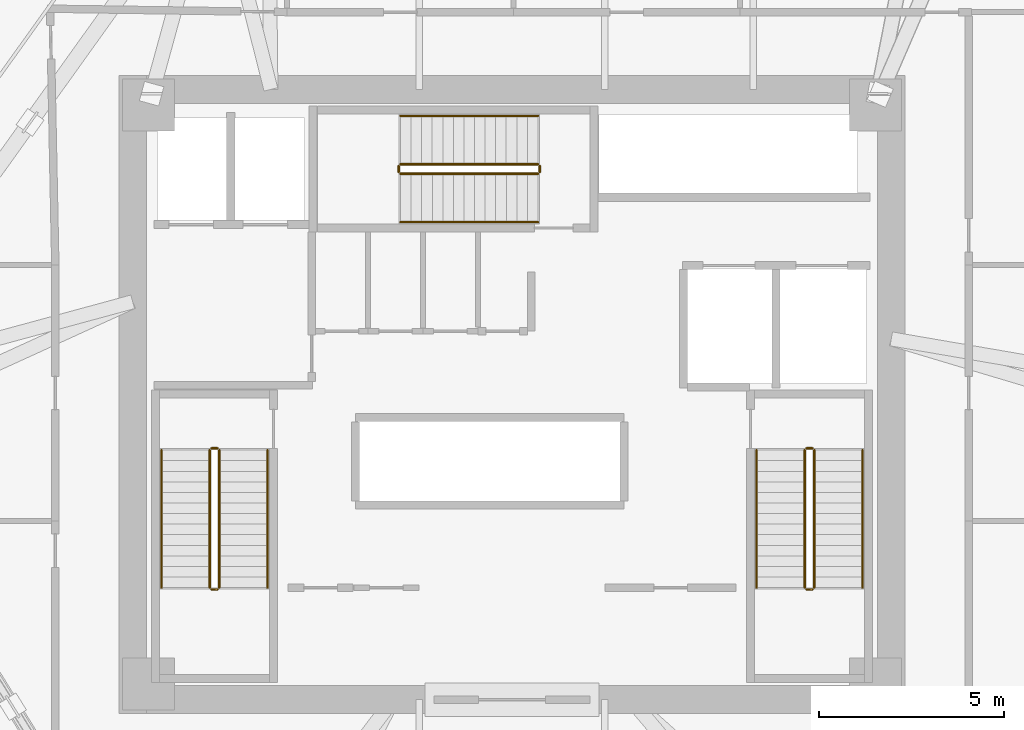
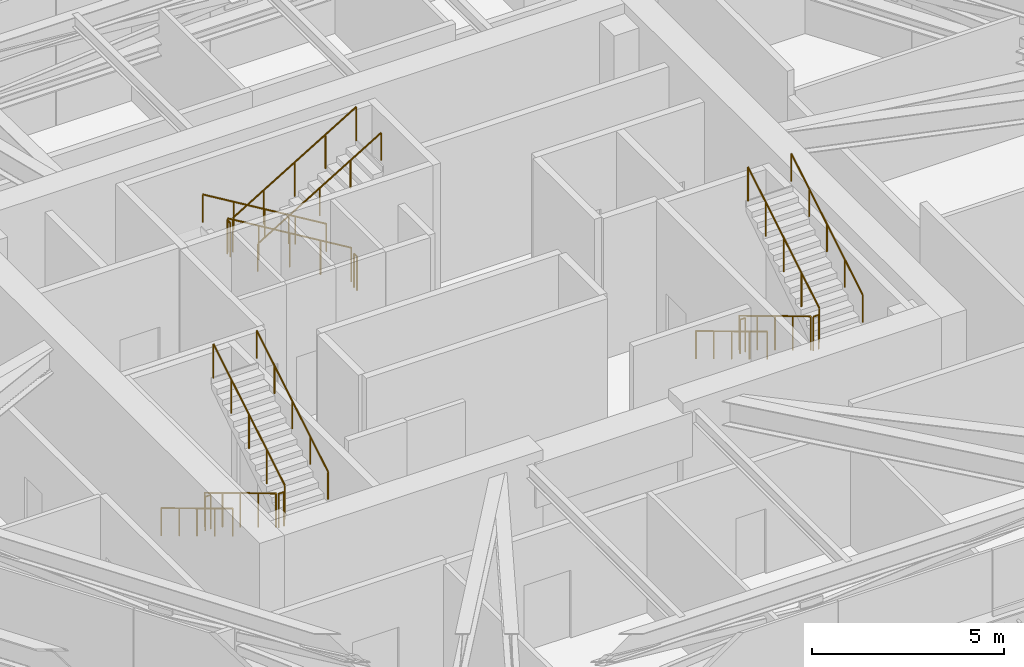
# One storey, part 11 of 11: 18 railings.
"""IFC4 building model written with IfcOpenShell, lengths in metres."""

from ifc_helpers import new_model, si_unit, direction, frame, origin, origin_2d, place, context, subcontext, project, spatial, circle, extrude, material, type_object, element, save


model = new_model("IFC4")

# Units and contexts
model_context = context("Model", 3, precision=1e-05, world=origin(), true_north=direction((0.0, 1.0)))
body_context = subcontext(model_context, "Body", "Model", "MODEL_VIEW")
ifc_project = project(units=[si_unit("LENGTHUNIT", "METRE"), si_unit("AREAUNIT", "SQUARE_METRE"), si_unit("VOLUMEUNIT", "CUBIC_METRE"), si_unit("PLANEANGLEUNIT", "RADIAN"), si_unit("MASSUNIT", "GRAM", prefix="KILO")], contexts=[model_context])

# Site, building, storey
site_placement = place(None, origin())
site = spatial("IfcSite", under=ifc_project, at=site_placement, CompositionType="ELEMENT")
building_placement = place(site_placement, origin())
building = spatial("IfcBuilding", under=site, at=building_placement, Name="Durnholm Broadcast Tower", CompositionType="ELEMENT")
storey_placement = place(building_placement, frame((0.0, 0.0, 150.300048828125)))
storey = spatial("IfcBuildingStorey", under=building, at=storey_placement, Name="L41", CompositionType="ELEMENT", Elevation=150.300048828125)

# Railings
ifc_material_1 = material(Name="Painted Tubular Steel Stair Guardrail", Category="steel")
railing_type_1 = type_object("IfcRailingType", Name="RAIL-ST-GRD", PredefinedType="GUARDRAIL", material=ifc_material_1)
railing_1_placement = place(storey_placement, frame((-8.14990234375, -1.5, 0.17138671875)))
element("IfcRailing", 1, at=railing_1_placement, inside=storey, type_object=railing_type_1, Name="L41 ST-1 stair guard 1", PredefinedType="GUARDRAIL", context=body_context, shape_type="SweptSolid", body=[
    extrude(circle(Radius=0.02392578125, at=origin_2d()), frame((0.0, 0.0, 1.076171875), z_axis=(0.0, -0.856934400257, 0.515425487977), x_axis=(1.0, 0.0, 0.0)), (0.0, 0.0, 1.0), 4.32373046875),
    extrude(circle(Radius=0.02099609375, at=origin_2d()), origin(), (0.0, 0.0, 1.0), 1.052001953125),
    extrude(circle(Radius=0.02099609375, at=origin_2d()), frame((0.0, -0.92626953125, 0.55712890625)), (0.0, 0.0, 1.0), 1.052001953125),
    extrude(circle(Radius=0.02099609375, at=origin_2d()), frame((0.0, -1.8525390625, 1.1142578125)), (0.0, 0.0, 1.0), 1.052001953125),
    extrude(circle(Radius=0.02099609375, at=origin_2d()), frame((0.0, -2.77880859375, 1.67138671875)), (0.0, 0.0, 1.0), 1.052001953125),
    extrude(circle(Radius=0.02099609375, at=origin_2d()), frame((0.0, -3.705078125, 2.228515625)), (0.0, 0.0, 1.0), 1.052001953125),
])
railing_2_placement = place(storey_placement, frame((-8.10009765625, -5.2548828125, 2.39990234375)))
element("IfcRailing", 2, at=railing_2_placement, inside=storey, type_object=railing_type_1, Name="L41 ST-1 stair guard 2", PredefinedType="GUARDRAIL", context=body_context, shape_type="SweptSolid", body=[
    extrude(circle(Radius=0.02392578125, at=origin_2d()), frame((0.0, 0.0, 1.076171875), z_axis=(1.0, 0.0, 0.0), x_axis=(0.0, 1.0, 0.0)), (0.0, 0.0, 1.0), 0.16015625),
    extrude(circle(Radius=0.02099609375, at=origin_2d()), origin(), (0.0, 0.0, 1.0), 1.052001953125),
    extrude(circle(Radius=0.02099609375, at=origin_2d()), frame((0.16015625, 0.0, 0.0)), (0.0, 0.0, 1.0), 1.052001953125),
])
railing_3_placement = place(storey_placement, frame((-7.889892578125, -5.205078125, 2.5712890625)))
element("IfcRailing", 3, at=railing_3_placement, inside=storey, type_object=railing_type_1, Name="L41 ST-1 stair guard 3", PredefinedType="GUARDRAIL", context=body_context, shape_type="SweptSolid", body=[
    extrude(circle(Radius=0.02392578125, at=origin_2d()), frame((0.0, 0.0, 1.076171875), z_axis=(0.0, 0.856909459561, 0.515466951525), x_axis=(-1.0, 0.0, 0.0)), (0.0, 0.0, 1.0), 4.32373046875),
    extrude(circle(Radius=0.02099609375, at=origin_2d()), origin(), (0.0, 0.0, 1.0), 1.052001953125),
    extrude(circle(Radius=0.02099609375, at=origin_2d()), frame((0.0, 0.92626953125, 0.55712890625)), (0.0, 0.0, 1.0), 1.052001953125),
    extrude(circle(Radius=0.02099609375, at=origin_2d()), frame((0.0, 1.8525390625, 1.1142578125)), (0.0, 0.0, 1.0), 1.052001953125),
    extrude(circle(Radius=0.02099609375, at=origin_2d()), frame((0.0, 2.77880859375, 1.671630859375)), (0.0, 0.0, 1.0), 1.052001953125),
    extrude(circle(Radius=0.02099609375, at=origin_2d()), frame((0.0, 3.705078125, 2.228759765625)), (0.0, 0.0, 1.0), 1.052001953125),
])
railing_4_placement = place(storey_placement, frame((-8.10009765625, -1.449951171875, 0.0)))
element("IfcRailing", 4, at=railing_4_placement, inside=storey, type_object=railing_type_1, Name="L41 ST-1 stair guard 4", PredefinedType="GUARDRAIL", context=body_context, shape_type="SweptSolid", body=[
    extrude(circle(Radius=0.02392578125, at=origin_2d()), frame((0.0, 0.0, 1.076171875), z_axis=(1.0, 0.0, 0.0), x_axis=(0.0, 1.0, 0.0)), (0.0, 0.0, 1.0), 0.16015625),
    extrude(circle(Radius=0.02099609375, at=origin_2d()), origin(), (0.0, 0.0, 1.0), 1.052001953125),
    extrude(circle(Radius=0.02099609375, at=origin_2d()), frame((0.16015625, 0.0, 0.0)), (0.0, 0.0, 1.0), 1.052001953125),
])
railing_5_placement = place(storey_placement, frame((7.889892578125, -1.5, 0.17138671875)))
element("IfcRailing", 5, at=railing_5_placement, inside=storey, type_object=railing_type_1, Name="L41 ST-2 stair guard 1", PredefinedType="GUARDRAIL", context=body_context, shape_type="SweptSolid", body=[
    extrude(circle(Radius=0.02392578125, at=origin_2d()), frame((0.0, 0.0, 1.076171875), z_axis=(0.0, -0.856934400257, 0.515425487977), x_axis=(1.0, 0.0, 0.0)), (0.0, 0.0, 1.0), 4.32373046875),
    extrude(circle(Radius=0.02099609375, at=origin_2d()), origin(), (0.0, 0.0, 1.0), 1.052001953125),
    extrude(circle(Radius=0.02099609375, at=origin_2d()), frame((0.0, -0.92626953125, 0.55712890625)), (0.0, 0.0, 1.0), 1.052001953125),
    extrude(circle(Radius=0.02099609375, at=origin_2d()), frame((0.0, -1.8525390625, 1.1142578125)), (0.0, 0.0, 1.0), 1.052001953125),
    extrude(circle(Radius=0.02099609375, at=origin_2d()), frame((0.0, -2.77880859375, 1.67138671875)), (0.0, 0.0, 1.0), 1.052001953125),
    extrude(circle(Radius=0.02099609375, at=origin_2d()), frame((0.0, -3.705078125, 2.228515625)), (0.0, 0.0, 1.0), 1.052001953125),
])
railing_6_placement = place(storey_placement, frame((7.93994140625, -5.2548828125, 2.39990234375)))
element("IfcRailing", 6, at=railing_6_placement, inside=storey, type_object=railing_type_1, Name="L41 ST-2 stair guard 2", PredefinedType="GUARDRAIL", context=body_context, shape_type="SweptSolid", body=[
    extrude(circle(Radius=0.02392578125, at=origin_2d()), frame((0.0, 0.0, 1.076171875), z_axis=(1.0, 0.0, 0.0), x_axis=(0.0, 1.0, 0.0)), (0.0, 0.0, 1.0), 0.16015625),
    extrude(circle(Radius=0.02099609375, at=origin_2d()), origin(), (0.0, 0.0, 1.0), 1.052001953125),
    extrude(circle(Radius=0.02099609375, at=origin_2d()), frame((0.16015625, 0.0, 0.0)), (0.0, 0.0, 1.0), 1.052001953125),
])
railing_7_placement = place(storey_placement, frame((8.14990234375, -5.205078125, 2.5712890625)))
element("IfcRailing", 7, at=railing_7_placement, inside=storey, type_object=railing_type_1, Name="L41 ST-2 stair guard 3", PredefinedType="GUARDRAIL", context=body_context, shape_type="SweptSolid", body=[
    extrude(circle(Radius=0.02392578125, at=origin_2d()), frame((0.0, 0.0, 1.076171875), z_axis=(0.0, 0.856909459561, 0.515466951525), x_axis=(-1.0, 0.0, 0.0)), (0.0, 0.0, 1.0), 4.32373046875),
    extrude(circle(Radius=0.02099609375, at=origin_2d()), origin(), (0.0, 0.0, 1.0), 1.052001953125),
    extrude(circle(Radius=0.02099609375, at=origin_2d()), frame((0.0, 0.92626953125, 0.55712890625)), (0.0, 0.0, 1.0), 1.052001953125),
    extrude(circle(Radius=0.02099609375, at=origin_2d()), frame((0.0, 1.8525390625, 1.1142578125)), (0.0, 0.0, 1.0), 1.052001953125),
    extrude(circle(Radius=0.02099609375, at=origin_2d()), frame((0.0, 2.77880859375, 1.671630859375)), (0.0, 0.0, 1.0), 1.052001953125),
    extrude(circle(Radius=0.02099609375, at=origin_2d()), frame((0.0, 3.705078125, 2.228759765625)), (0.0, 0.0, 1.0), 1.052001953125),
])
railing_8_placement = place(storey_placement, frame((7.93994140625, -1.449951171875, 0.0)))
element("IfcRailing", 8, at=railing_8_placement, inside=storey, type_object=railing_type_1, Name="L41 ST-2 stair guard 4", PredefinedType="GUARDRAIL", context=body_context, shape_type="SweptSolid", body=[
    extrude(circle(Radius=0.02392578125, at=origin_2d()), frame((0.0, 0.0, 1.076171875), z_axis=(1.0, 0.0, 0.0), x_axis=(0.0, 1.0, 0.0)), (0.0, 0.0, 1.0), 0.16015625),
    extrude(circle(Radius=0.02099609375, at=origin_2d()), origin(), (0.0, 0.0, 1.0), 1.052001953125),
    extrude(circle(Radius=0.02099609375, at=origin_2d()), frame((0.16015625, 0.0, 0.0)), (0.0, 0.0, 1.0), 1.052001953125),
])
railing_9_placement = place(storey_placement, frame((0.699951171875, 6.2099609375, 0.17138671875)))
element("IfcRailing", 9, at=railing_9_placement, inside=storey, type_object=railing_type_1, Name="L41 ST-3 stair guard 1", PredefinedType="GUARDRAIL", context=body_context, shape_type="SweptSolid", body=[
    extrude(circle(Radius=0.02392578125, at=origin_2d()), frame((0.0, 0.0, 1.076171875), z_axis=(-0.856919398105, 0.0, 0.515450429384), x_axis=(0.0, -1.0, 0.0)), (0.0, 0.0, 1.0), 4.323486328125),
    extrude(circle(Radius=0.02099609375, at=origin_2d()), origin(), (0.0, 0.0, 1.0), 1.052001953125),
    extrude(circle(Radius=0.02099609375, at=origin_2d()), frame((-0.92626953125, 0.0, 0.55712890625)), (0.0, 0.0, 1.0), 1.052001953125),
    extrude(circle(Radius=0.02099609375, at=origin_2d()), frame((-1.8525390625, 0.0, 1.1142578125)), (0.0, 0.0, 1.0), 1.052001953125),
    extrude(circle(Radius=0.02099609375, at=origin_2d()), frame((-2.778564453125, 0.0, 1.67138671875)), (0.0, 0.0, 1.0), 1.052001953125),
    extrude(circle(Radius=0.02099609375, at=origin_2d()), frame((-3.704833984375, 0.0, 2.228515625)), (0.0, 0.0, 1.0), 1.052001953125),
])
railing_10_placement = place(storey_placement, frame((-3.054931640625, 6.159912109375, 2.39990234375)))
element("IfcRailing", 10, at=railing_10_placement, inside=storey, type_object=railing_type_1, Name="L41 ST-3 stair guard 2", PredefinedType="GUARDRAIL", context=body_context, shape_type="SweptSolid", body=[
    extrude(circle(Radius=0.02392578125, at=origin_2d()), frame((0.0, 0.0, 1.076171875), z_axis=(0.0, -1.0, 0.0), x_axis=(1.0, 0.0, 0.0)), (0.0, 0.0, 1.0), 0.159912109375),
    extrude(circle(Radius=0.02099609375, at=origin_2d()), origin(), (0.0, 0.0, 1.0), 1.052001953125),
    extrude(circle(Radius=0.02099609375, at=origin_2d()), frame((0.0, -0.159912109375, 0.0)), (0.0, 0.0, 1.0), 1.052001953125),
])
railing_11_placement = place(storey_placement, frame((-3.0048828125, 5.949951171875, 2.5712890625)))
element("IfcRailing", 11, at=railing_11_placement, inside=storey, type_object=railing_type_1, Name="L41 ST-3 stair guard 3", PredefinedType="GUARDRAIL", context=body_context, shape_type="SweptSolid", body=[
    extrude(circle(Radius=0.02392578125, at=origin_2d()), frame((0.0, 0.0, 1.076171875), z_axis=(0.856894455432, 0.0, 0.515491893485), x_axis=(0.0, 1.0, 0.0)), (0.0, 0.0, 1.0), 4.323486328125),
    extrude(circle(Radius=0.02099609375, at=origin_2d()), origin(), (0.0, 0.0, 1.0), 1.052001953125),
    extrude(circle(Radius=0.02099609375, at=origin_2d()), frame((0.92626953125, 0.0, 0.55712890625)), (0.0, 0.0, 1.0), 1.052001953125),
    extrude(circle(Radius=0.02099609375, at=origin_2d()), frame((1.8525390625, 0.0, 1.1142578125)), (0.0, 0.0, 1.0), 1.052001953125),
    extrude(circle(Radius=0.02099609375, at=origin_2d()), frame((2.778564453125, 0.0, 1.671630859375)), (0.0, 0.0, 1.0), 1.052001953125),
    extrude(circle(Radius=0.02099609375, at=origin_2d()), frame((3.704833984375, 0.0, 2.228759765625)), (0.0, 0.0, 1.0), 1.052001953125),
])
railing_12_placement = place(storey_placement, frame((0.75, 6.159912109375, 0.0)))
element("IfcRailing", 12, at=railing_12_placement, inside=storey, type_object=railing_type_1, Name="L41 ST-3 stair guard 4", PredefinedType="GUARDRAIL", context=body_context, shape_type="SweptSolid", body=[
    extrude(circle(Radius=0.02392578125, at=origin_2d()), frame((0.0, 0.0, 1.076171875), z_axis=(0.0, -1.0, 0.0), x_axis=(1.0, 0.0, 0.0)), (0.0, 0.0, 1.0), 0.159912109375),
    extrude(circle(Radius=0.02099609375, at=origin_2d()), origin(), (0.0, 0.0, 1.0), 1.052001953125),
    extrude(circle(Radius=0.02099609375, at=origin_2d()), frame((0.0, -0.159912109375, 0.0)), (0.0, 0.0, 1.0), 1.052001953125),
])
ifc_material_2 = material(Name="Brushed Stainless Steel Handrail", Category="steel")
railing_type_2 = type_object("IfcRailingType", Name="RAIL-ST-HND", PredefinedType="HANDRAIL", material=ifc_material_2)
railing_13_placement = place(storey_placement, frame((-9.449951171875, -1.5, 0.3427734375)))
element("IfcRailing", 13, at=railing_13_placement, inside=storey, type_object=railing_type_2, Name="L41 ST-1 stair handrail 1", PredefinedType="HANDRAIL", context=body_context, shape_type="SweptSolid", body=[
    extrude(circle(Radius=0.02392578125, at=origin_2d()), frame((0.0, 0.0, 0.8759765625), z_axis=(0.0, -0.856934400257, 0.515425487977), x_axis=(1.0, 0.0, 0.0)), (0.0, 0.0, 1.0), 4.32373046875),
    extrude(circle(Radius=0.02099609375, at=origin_2d()), origin(), (0.0, 0.0, 1.0), 0.851806640625),
    extrude(circle(Radius=0.02099609375, at=origin_2d()), frame((0.0, -0.92626953125, 0.55712890625)), (0.0, 0.0, 1.0), 0.851806640625),
    extrude(circle(Radius=0.02099609375, at=origin_2d()), frame((0.0, -1.8525390625, 1.1142578125)), (0.0, 0.0, 1.0), 0.851806640625),
    extrude(circle(Radius=0.02099609375, at=origin_2d()), frame((0.0, -2.77880859375, 1.67138671875)), (0.0, 0.0, 1.0), 0.851806640625),
    extrude(circle(Radius=0.02099609375, at=origin_2d()), frame((0.0, -3.705078125, 2.228515625)), (0.0, 0.0, 1.0), 0.851806640625),
])
railing_14_placement = place(storey_placement, frame((-6.590087890625, -5.205078125, 2.742919921875)))
element("IfcRailing", 14, at=railing_14_placement, inside=storey, type_object=railing_type_2, Name="L41 ST-1 stair handrail 2", PredefinedType="HANDRAIL", context=body_context, shape_type="SweptSolid", body=[
    extrude(circle(Radius=0.02392578125, at=origin_2d()), frame((0.0, 0.0, 0.8759765625), z_axis=(0.0, 0.856934400257, 0.515425487977), x_axis=(-1.0, 0.0, 0.0)), (0.0, 0.0, 1.0), 4.32373046875),
    extrude(circle(Radius=0.02099609375, at=origin_2d()), origin(), (0.0, 0.0, 1.0), 0.851806640625),
    extrude(circle(Radius=0.02099609375, at=origin_2d()), frame((0.0, 0.92626953125, 0.55712890625)), (0.0, 0.0, 1.0), 0.851806640625),
    extrude(circle(Radius=0.02099609375, at=origin_2d()), frame((0.0, 1.8525390625, 1.1142578125)), (0.0, 0.0, 1.0), 0.851806640625),
    extrude(circle(Radius=0.02099609375, at=origin_2d()), frame((0.0, 2.77880859375, 1.67138671875)), (0.0, 0.0, 1.0), 0.851806640625),
    extrude(circle(Radius=0.02099609375, at=origin_2d()), frame((0.0, 3.705078125, 2.228515625)), (0.0, 0.0, 1.0), 0.851806640625),
])
railing_15_placement = place(storey_placement, frame((6.590087890625, -1.5, 0.3427734375)))
element("IfcRailing", 15, at=railing_15_placement, inside=storey, type_object=railing_type_2, Name="L41 ST-2 stair handrail 1", PredefinedType="HANDRAIL", context=body_context, shape_type="SweptSolid", body=[
    extrude(circle(Radius=0.02392578125, at=origin_2d()), frame((0.0, 0.0, 0.8759765625), z_axis=(0.0, -0.856934400257, 0.515425487977), x_axis=(1.0, 0.0, 0.0)), (0.0, 0.0, 1.0), 4.32373046875),
    extrude(circle(Radius=0.02099609375, at=origin_2d()), origin(), (0.0, 0.0, 1.0), 0.851806640625),
    extrude(circle(Radius=0.02099609375, at=origin_2d()), frame((0.0, -0.92626953125, 0.55712890625)), (0.0, 0.0, 1.0), 0.851806640625),
    extrude(circle(Radius=0.02099609375, at=origin_2d()), frame((0.0, -1.8525390625, 1.1142578125)), (0.0, 0.0, 1.0), 0.851806640625),
    extrude(circle(Radius=0.02099609375, at=origin_2d()), frame((0.0, -2.77880859375, 1.67138671875)), (0.0, 0.0, 1.0), 0.851806640625),
    extrude(circle(Radius=0.02099609375, at=origin_2d()), frame((0.0, -3.705078125, 2.228515625)), (0.0, 0.0, 1.0), 0.851806640625),
])
railing_16_placement = place(storey_placement, frame((9.449951171875, -5.205078125, 2.742919921875)))
element("IfcRailing", 16, at=railing_16_placement, inside=storey, type_object=railing_type_2, Name="L41 ST-2 stair handrail 2", PredefinedType="HANDRAIL", context=body_context, shape_type="SweptSolid", body=[
    extrude(circle(Radius=0.02392578125, at=origin_2d()), frame((0.0, 0.0, 0.8759765625), z_axis=(0.0, 0.856934400257, 0.515425487977), x_axis=(-1.0, 0.0, 0.0)), (0.0, 0.0, 1.0), 4.32373046875),
    extrude(circle(Radius=0.02099609375, at=origin_2d()), origin(), (0.0, 0.0, 1.0), 0.851806640625),
    extrude(circle(Radius=0.02099609375, at=origin_2d()), frame((0.0, 0.92626953125, 0.55712890625)), (0.0, 0.0, 1.0), 0.851806640625),
    extrude(circle(Radius=0.02099609375, at=origin_2d()), frame((0.0, 1.8525390625, 1.1142578125)), (0.0, 0.0, 1.0), 0.851806640625),
    extrude(circle(Radius=0.02099609375, at=origin_2d()), frame((0.0, 2.77880859375, 1.67138671875)), (0.0, 0.0, 1.0), 0.851806640625),
    extrude(circle(Radius=0.02099609375, at=origin_2d()), frame((0.0, 3.705078125, 2.228515625)), (0.0, 0.0, 1.0), 0.851806640625),
])
railing_17_placement = place(storey_placement, frame((0.699951171875, 7.510009765625, 0.3427734375)))
element("IfcRailing", 17, at=railing_17_placement, inside=storey, type_object=railing_type_2, Name="L41 ST-3 stair handrail 1", PredefinedType="HANDRAIL", context=body_context, shape_type="SweptSolid", body=[
    extrude(circle(Radius=0.02392578125, at=origin_2d()), frame((0.0, 0.0, 0.8759765625), z_axis=(-0.856919398105, 0.0, 0.515450429384), x_axis=(0.0, -1.0, 0.0)), (0.0, 0.0, 1.0), 4.323486328125),
    extrude(circle(Radius=0.02099609375, at=origin_2d()), origin(), (0.0, 0.0, 1.0), 0.851806640625),
    extrude(circle(Radius=0.02099609375, at=origin_2d()), frame((-0.92626953125, 0.0, 0.55712890625)), (0.0, 0.0, 1.0), 0.851806640625),
    extrude(circle(Radius=0.02099609375, at=origin_2d()), frame((-1.8525390625, 0.0, 1.1142578125)), (0.0, 0.0, 1.0), 0.851806640625),
    extrude(circle(Radius=0.02099609375, at=origin_2d()), frame((-2.778564453125, 0.0, 1.67138671875)), (0.0, 0.0, 1.0), 0.851806640625),
    extrude(circle(Radius=0.02099609375, at=origin_2d()), frame((-3.704833984375, 0.0, 2.228515625)), (0.0, 0.0, 1.0), 0.851806640625),
])
railing_18_placement = place(storey_placement, frame((-3.0048828125, 4.64990234375, 2.742919921875)))
element("IfcRailing", 18, at=railing_18_placement, inside=storey, type_object=railing_type_2, Name="L41 ST-3 stair handrail 2", PredefinedType="HANDRAIL", context=body_context, shape_type="SweptSolid", body=[
    extrude(circle(Radius=0.02392578125, at=origin_2d()), frame((0.0, 0.0, 0.8759765625), z_axis=(0.856919398105, 0.0, 0.515450429384), x_axis=(0.0, 1.0, 0.0)), (0.0, 0.0, 1.0), 4.323486328125),
    extrude(circle(Radius=0.02099609375, at=origin_2d()), origin(), (0.0, 0.0, 1.0), 0.851806640625),
    extrude(circle(Radius=0.02099609375, at=origin_2d()), frame((0.92626953125, 0.0, 0.55712890625)), (0.0, 0.0, 1.0), 0.851806640625),
    extrude(circle(Radius=0.02099609375, at=origin_2d()), frame((1.8525390625, 0.0, 1.1142578125)), (0.0, 0.0, 1.0), 0.851806640625),
    extrude(circle(Radius=0.02099609375, at=origin_2d()), frame((2.778564453125, 0.0, 1.67138671875)), (0.0, 0.0, 1.0), 0.851806640625),
    extrude(circle(Radius=0.02099609375, at=origin_2d()), frame((3.704833984375, 0.0, 2.228515625)), (0.0, 0.0, 1.0), 0.851806640625),
])

save(model, "model.ifc")
